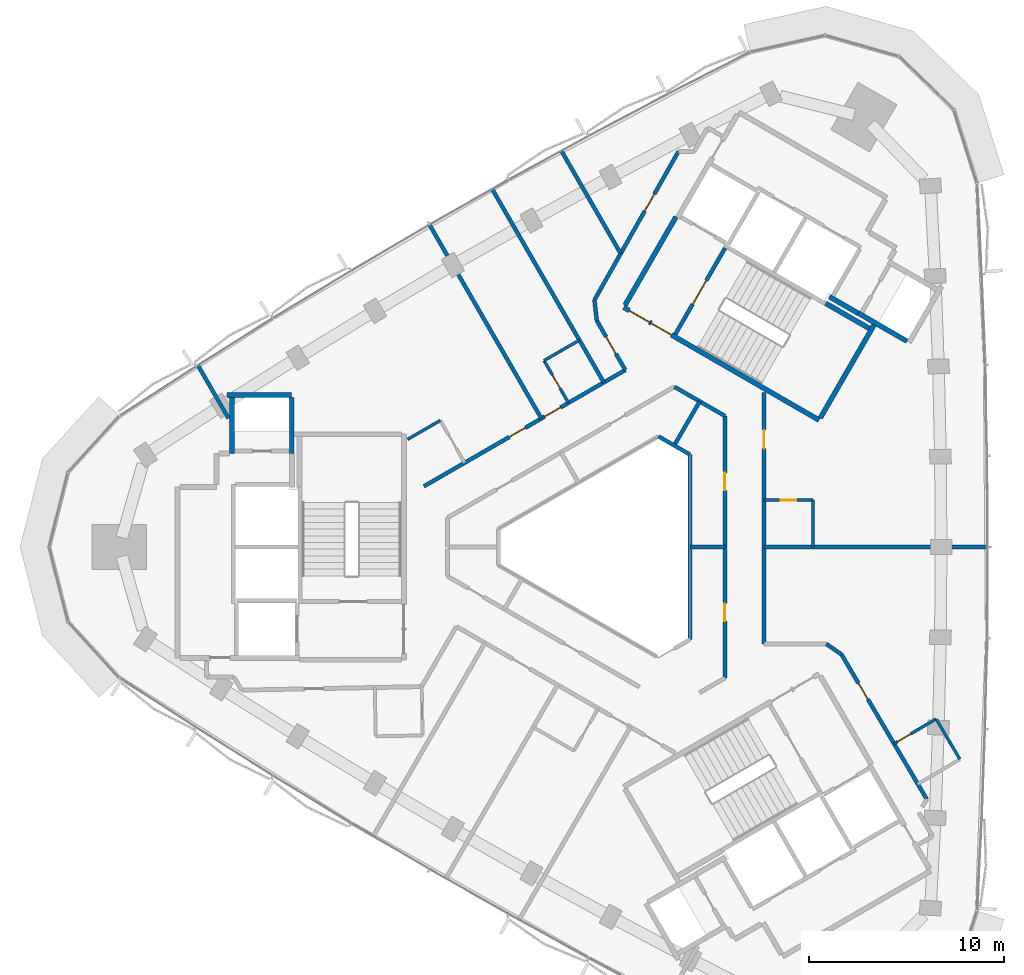
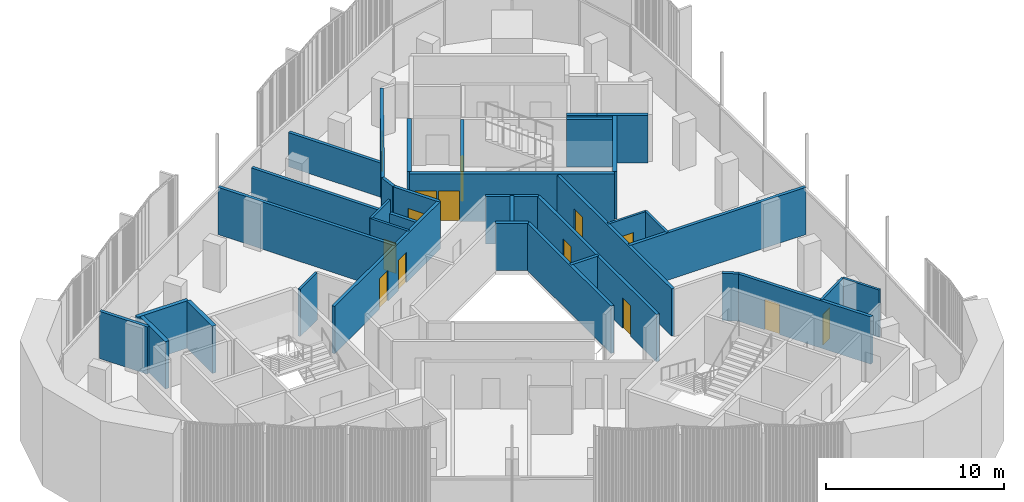
# One storey, part 10 of 16: 35 walls, 14 doors, 14 openings.
"""IFC4 building model written with IfcOpenShell, lengths in metres."""

from ifc_helpers import new_model, si_unit, direction, frame, frame_2d, origin, place, context, subcontext, project, spatial, rectangle, extrude, material, layer, layer_set, type_object, element, fill, save


model = new_model("IFC4")

# Units and contexts
model_context = context("Model", 3, precision=1e-05, world=origin(), true_north=direction((0.0, 1.0)))
body_context = subcontext(model_context, "Body", "Model", "MODEL_VIEW")
ifc_project = project(units=[si_unit("LENGTHUNIT", "METRE"), si_unit("AREAUNIT", "SQUARE_METRE"), si_unit("VOLUMEUNIT", "CUBIC_METRE"), si_unit("PLANEANGLEUNIT", "RADIAN"), si_unit("MASSUNIT", "GRAM", prefix="KILO")], contexts=[model_context])

# Site, building, storey
site_placement = place(None, origin())
site = spatial("IfcSite", under=ifc_project, at=site_placement, CompositionType="ELEMENT")
building_placement = place(site_placement, origin())
building = spatial("IfcBuilding", under=site, at=building_placement, Name="Tamra Quay Hotel Tower", CompositionType="ELEMENT")
storey_placement = place(building_placement, frame((0.0, 0.0, 232.199951171875)))
storey = spatial("IfcBuildingStorey", under=building, at=storey_placement, Name="L58", CompositionType="ELEMENT", Elevation=232.199951171875)

# Wall, opening, door
ifc_material_1 = material(Name="Concrete M70", Category="concrete")
ifc_layer_1 = layer(ifc_material_1, 0.199951171875)
ifc_layer_set_1 = layer_set([ifc_layer_1], Name="Concrete M70 core wall 200")
wall_type_1 = type_object("IfcWallType", Name="Concrete M70 core wall 200", PredefinedType="SHEAR", material=ifc_layer_set_1)
wall_1_placement = place(storey_placement, frame((3.056640625, 10.89453125, 0.0), z_axis=(0.0, 0.0, 1.0), x_axis=(0.500027839223, 0.866009330205, 0.0)))
wall_1 = element("IfcWall", 1, at=wall_1_placement, inside=storey, type_object=wall_type_1, Name="CW2", PredefinedType="SHEAR", context=body_context, shape_type="SweptSolid", body=[
    extrude(rectangle(XDim=5.097900390625, YDim=0.199951171875, at=frame_2d((2.548828125, 0.0))), origin(), (0.0, 0.0, 1.0), 3.25),
])
opening_1_placement = place(wall_1_placement, frame((1.77392578125, 0.0, 0.0)))
opening_1 = element("IfcOpeningElement", 2, at=opening_1_placement, cuts=wall_1, Name="Opening FD2", PredefinedType="OPENING", context=body_context, shape_type="SweptSolid", body=[
    extrude(rectangle(XDim=1.39990234375, YDim=2.10009765625, at=frame_2d((0.699951171875, 1.050048828125))), frame((0.0, 0.10986328125, 0.0), z_axis=(0.0, -1.0, 0.0), x_axis=(1.0, 0.0, 0.0)), (0.0, 0.0, 1.0), 0.219970703125),
])
ifc_material_2 = material(Name="Core door FD2 1400x2100 RH")
door_type_1 = type_object("IfcDoorType", Name="Core door FD2 1400x2100 RH", OperationType="NOTDEFINED", PredefinedType="DOOR", material=ifc_material_2)
door_1_placement = place(opening_1_placement, origin())
door_1 = element("IfcDoor", 3, at=door_1_placement, inside=storey, type_object=door_type_1, Name="FD2", OperationType="SINGLE_SWING_RIGHT", OverallHeight=2.10009765625, OverallWidth=1.39990234375, PredefinedType="DOOR", context=body_context, shape_type="SweptSolid", body=[
    extrude(rectangle(XDim=1.39990234375, YDim=2.10009765625, at=frame_2d((0.699951171875, 1.050048828125))), frame((0.0, 0.02490234375, 0.0), z_axis=(0.0, -1.0, 0.0), x_axis=(1.0, 0.0, 0.0)), (0.0, 0.0, 1.0), 0.050048828125),
])
fill(opening_1, door_1)

# Walls
ifc_layer_2 = layer(ifc_material_1, 0.25)
ifc_layer_set_2 = layer_set([ifc_layer_2], Name="Concrete M70 core wall 250")
wall_type_2 = type_object("IfcWallType", Name="Concrete M70 core wall 250", PredefinedType="SHEAR", material=ifc_layer_set_2)
wall_2_placement = place(storey_placement, frame((-19.900390625, 7.77490234375, 0.0), z_axis=(0.0, 0.0, 1.0), x_axis=(1.0, 0.0, 0.0)))
element("IfcWall", 4, at=wall_2_placement, inside=storey, type_object=wall_type_2, Name="CW1", PredefinedType="SHEAR", context=body_context, shape_type="SweptSolid", body=[
    extrude(rectangle(XDim=3.31298828125, YDim=0.25, at=frame_2d((1.656494140625, 0.0))), origin(), (0.0, 0.0, 1.0), 3.25),
])
for number, where, z_axis, x_axis, name in (
    (5, (-16.58740234375, 7.649658203125, 0.0), (0.0, 0.0, 1.0), (0.0, -1.0, 0.0), "CW1"),
    (6, (-19.63720703125, 4.784912109375, 0.0), (0.0, 0.0, 1.0), (0.0, 1.0, 0.0), "CW1"),
):
    element("IfcWall", number, at=place(storey_placement, frame(where, z_axis=z_axis, x_axis=x_axis)), inside=storey, type_object=wall_type_2, Name=name, PredefinedType="SHEAR", context=body_context, shape_type="SweptSolid", body=[
        extrude(rectangle(XDim=2.86474609375, YDim=0.25, at=frame_2d((1.432373046875, 0.0))), origin(), (0.0, 0.0, 1.0), 3.25),
    ])

# Wall, openings, doors
wall_3_placement = place(storey_placement, frame((10.419921875, 6.497802734375, 0.0), z_axis=(0.0, 0.0, 1.0), x_axis=(-0.866021906294, 0.500006057782, 0.0)))
wall_3 = element("IfcWall", 7, at=wall_3_placement, inside=storey, type_object=wall_type_2, Name="CW1", PredefinedType="SHEAR", context=body_context, shape_type="SweptSolid", body=[
    extrude(rectangle(XDim=11.550048828125, YDim=0.25, at=frame_2d((5.77490234375, 0.0))), origin(), (0.0, 0.0, 1.0), 3.25),
])
opening_2_placement = place(wall_3_placement, frame((10.02490234375, 0.0, 0.0)))
opening_2 = element("IfcOpeningElement", 8, at=opening_2_placement, cuts=wall_3, Name="Opening FD1", PredefinedType="OPENING", context=body_context, shape_type="SweptSolid", body=[
    extrude(rectangle(XDim=1.199951171875, YDim=2.10009765625, at=frame_2d((0.60009765625, 1.050048828125))), frame((0.0, 0.135009765625, 0.0), z_axis=(0.0, -1.0, 0.0), x_axis=(1.0, 0.0, 0.0)), (0.0, 0.0, 1.0), 0.27001953125),
])
opening_3_placement = place(wall_3_placement, frame((8.724853515625, 0.0, 0.0)))
opening_3 = element("IfcOpeningElement", 9, at=opening_3_placement, cuts=wall_3, Name="Opening FD1", PredefinedType="OPENING", context=body_context, shape_type="SweptSolid", body=[
    extrude(rectangle(XDim=1.199951171875, YDim=2.10009765625, at=frame_2d((0.60009765625, 1.050048828125))), frame((0.0, 0.135009765625, 0.0), z_axis=(0.0, -1.0, 0.0), x_axis=(1.0, 0.0, 0.0)), (0.0, 0.0, 1.0), 0.27001953125),
])
ifc_material_3 = material(Name="Core door FD1 1200x2100 LH")
door_type_2 = type_object("IfcDoorType", Name="Core door FD1 1200x2100 LH", OperationType="NOTDEFINED", PredefinedType="DOOR", material=ifc_material_3)
door_2_placement = place(opening_2_placement, origin())
door_2 = element("IfcDoor", 10, at=door_2_placement, inside=storey, type_object=door_type_2, Name="FD1", OperationType="SINGLE_SWING_LEFT", OverallHeight=2.10009765625, OverallWidth=1.199951171875, PredefinedType="DOOR", context=body_context, shape_type="SweptSolid", body=[
    extrude(rectangle(XDim=1.199951171875, YDim=2.10009765625, at=frame_2d((0.60009765625, 1.050048828125))), frame((0.0, 0.02490234375, 0.0), z_axis=(0.0, -1.0, 0.0), x_axis=(1.0, 0.0, 0.0)), (0.0, 0.0, 1.0), 0.050048828125),
])
fill(opening_2, door_2)
ifc_material_4 = material(Name="Core door FD1 1200x2100 RH")
door_type_3 = type_object("IfcDoorType", Name="Core door FD1 1200x2100 RH", OperationType="NOTDEFINED", PredefinedType="DOOR", material=ifc_material_4)
door_3_placement = place(opening_3_placement, origin())
door_3 = element("IfcDoor", 11, at=door_3_placement, inside=storey, type_object=door_type_3, Name="FD1", OperationType="SINGLE_SWING_RIGHT", OverallHeight=2.10009765625, OverallWidth=1.199951171875, PredefinedType="DOOR", context=body_context, shape_type="SweptSolid", body=[
    extrude(rectangle(XDim=1.199951171875, YDim=2.10009765625, at=frame_2d((0.60009765625, 1.050048828125))), frame((0.0, 0.02490234375, 0.0), z_axis=(0.0, -1.0, 0.0), x_axis=(1.0, 0.0, 0.0)), (0.0, 0.0, 1.0), 0.050048828125),
])
fill(opening_3, door_3)

# Walls
wall_4_placement = place(storey_placement, frame((0.47998046875, 12.38134765625, 0.0), z_axis=(0.0, 0.0, 1.0), x_axis=(0.49999885962, 0.866026062182, 0.0)))
element("IfcWall", 12, at=wall_4_placement, inside=storey, type_object=wall_type_2, Name="CW1", PredefinedType="SHEAR", context=body_context, shape_type="SweptSolid", body=[
    extrude(rectangle(XDim=5.224609375, YDim=0.25, at=frame_2d((2.6123046875, 0.0))), origin(), (0.0, 0.0, 1.0), 3.25),
])
wall_5_placement = place(storey_placement, frame((13.237548828125, 11.3779296875, 0.0), z_axis=(0.0, 0.0, 1.0), x_axis=(-0.500008851346, -0.866020293397, 0.0)))
element("IfcWall", 13, at=wall_5_placement, inside=storey, type_object=wall_type_2, Name="CW1", PredefinedType="SHEAR", context=body_context, shape_type="SweptSolid", body=[
    extrude(rectangle(XDim=5.509765625, YDim=0.25, at=frame_2d((2.7548828125, 0.0))), origin(), (0.0, 0.0, 1.0), 3.25),
])
wall_6_placement = place(storey_placement, frame((14.91845703125, 10.540283203125, 0.0), z_axis=(0.0, 0.0, 1.0), x_axis=(-0.866063538972, 0.499933942099, 0.0)))
element("IfcWall", 14, at=wall_6_placement, inside=storey, type_object=wall_type_2, Name="CW1", PredefinedType="SHEAR", context=body_context, shape_type="SweptSolid", body=[
    extrude(rectangle(XDim=2.86474609375, YDim=0.25, at=frame_2d((1.432373046875, 0.0))), origin(), (0.0, 0.0, 1.0), 3.25),
])
wall_7_placement = place(storey_placement, frame((10.756591796875, 12.481201171875, 0.0), z_axis=(0.0, 0.0, 1.0), x_axis=(0.866022940537, -0.500004266446, 0.0)))
element("IfcWall", 15, at=wall_7_placement, inside=storey, type_object=wall_type_2, Name="CW1", PredefinedType="SHEAR", context=body_context, shape_type="SweptSolid", body=[
    extrude(rectangle(XDim=2.57470703125, YDim=0.25, at=frame_2d((1.287353515625, 0.0))), origin(), (0.0, 0.0, 1.0), 3.25),
])
wall_8_placement = place(storey_placement, frame((12.4326171875, 11.9638671875, 0.0), z_axis=(0.0, 0.0, 1.0), x_axis=(-0.866038183914, 0.499977863513, 0.0)))
element("IfcWall", 16, at=wall_8_placement, inside=storey, type_object=wall_type_2, Name="CW1", PredefinedType="SHEAR", context=body_context, shape_type="SweptSolid", body=[
    extrude(rectangle(XDim=1.7099609375, YDim=0.25, at=frame_2d((0.85498046875, 0.0))), origin(), (0.0, 0.0, 1.0), 3.25),
])

# Wall, openings, doors
ifc_material_5 = material(Name="Partition corridor wall")
ifc_layer_3 = layer(ifc_material_5, 0.199951171875)
ifc_layer_set_3 = layer_set([ifc_layer_3], Name="Partition corridor wall")
wall_type_3 = type_object("IfcWallType", Name="Partition corridor wall", PredefinedType="PARTITIONING", material=ifc_layer_set_3)
wall_9_placement = place(storey_placement, frame((-9.81689453125, 3.10791015625, 0.0), z_axis=(0.0, 0.0, 1.0), x_axis=(0.86603471326, 0.499983875168, 0.0)))
wall_9 = element("IfcWall", 17, at=wall_9_placement, inside=storey, type_object=wall_type_3, Name="W-C", PredefinedType="PARTITIONING", context=body_context, shape_type="SweptSolid", body=[
    extrude(rectangle(XDim=11.91064453125, YDim=0.199951171875, at=frame_2d((5.955322265625, 0.0))), origin(), (0.0, 0.0, 1.0), 3.25),
])
opening_4_placement = place(wall_9_placement, frame((7.13623046875, 0.0, 0.0)))
opening_4 = element("IfcOpeningElement", 18, at=opening_4_placement, cuts=wall_9, Name="Opening L58-D003", PredefinedType="OPENING", context=body_context, shape_type="SweptSolid", body=[
    extrude(rectangle(XDim=0.949951171875, YDim=2.10009765625, at=frame_2d((0.47509765625, 1.050048828125))), frame((0.0, 0.10986328125, 0.0), z_axis=(0.0, -1.0, 0.0), x_axis=(1.0, 0.0, 0.0)), (0.0, 0.0, 1.0), 0.219970703125),
])
opening_5_placement = place(wall_9_placement, frame((5.049072265625, 0.0, 0.0)))
opening_5 = element("IfcOpeningElement", 19, at=opening_5_placement, cuts=wall_9, Name="Opening L58-D005", PredefinedType="OPENING", context=body_context, shape_type="SweptSolid", body=[
    extrude(rectangle(XDim=0.949951171875, YDim=2.10009765625, at=frame_2d((0.47509765625, 1.050048828125))), frame((0.0, 0.10986328125, 0.0), z_axis=(0.0, -1.0, 0.0), x_axis=(1.0, 0.0, 0.0)), (0.0, 0.0, 1.0), 0.219970703125),
])
ifc_material_6 = material(Name="Door guest room 950x2100")
door_type_4 = type_object("IfcDoorType", Name="Door guest room 950x2100", OperationType="NOTDEFINED", PredefinedType="DOOR", material=ifc_material_6)
door_4_placement = place(opening_4_placement, origin())
door_4 = element("IfcDoor", 20, at=door_4_placement, inside=storey, type_object=door_type_4, Name="L58-D003", OperationType="SINGLE_SWING_LEFT", OverallHeight=2.10009765625, OverallWidth=0.949951171875, PredefinedType="DOOR", context=body_context, shape_type="SweptSolid", body=[
    extrude(rectangle(XDim=0.949951171875, YDim=2.10009765625, at=frame_2d((0.47509765625, 1.050048828125))), frame((0.0, 0.02490234375, 0.0), z_axis=(0.0, -1.0, 0.0), x_axis=(1.0, 0.0, 0.0)), (0.0, 0.0, 1.0), 0.050048828125),
])
fill(opening_4, door_4)
door_5_placement = place(opening_5_placement, origin())
door_5 = element("IfcDoor", 21, at=door_5_placement, inside=storey, type_object=door_type_4, Name="L58-D005", OperationType="SINGLE_SWING_LEFT", OverallHeight=2.10009765625, OverallWidth=0.949951171875, PredefinedType="DOOR", context=body_context, shape_type="SweptSolid", body=[
    extrude(rectangle(XDim=0.949951171875, YDim=2.10009765625, at=frame_2d((0.47509765625, 1.050048828125))), frame((0.0, 0.02490234375, 0.0), z_axis=(0.0, -1.0, 0.0), x_axis=(1.0, 0.0, 0.0)), (0.0, 0.0, 1.0), 0.050048828125),
])
fill(opening_5, door_5)

# Wall
wall_10_placement = place(storey_placement, frame((-1.0849609375, 12.64990234375, 0.0), z_axis=(0.0, 0.0, 1.0), x_axis=(0.113812454263, -0.993502252264, 0.0)))
element("IfcWall", 22, at=wall_10_placement, inside=storey, type_object=wall_type_3, Name="W-C", PredefinedType="PARTITIONING", context=body_context, shape_type="SweptSolid", body=[
    extrude(rectangle(XDim=1.061767578125, YDim=0.199951171875, at=frame_2d((0.53076171875, 0.0))), origin(), (0.0, 0.0, 1.0), 3.25),
])

# Wall, opening, door
wall_11_placement = place(storey_placement, frame((-1.084228515625, 12.649658203125, 0.0), z_axis=(0.0, 0.0, 1.0), x_axis=(0.492373019537, 0.87038428848, 0.0)))
wall_11 = element("IfcWall", 23, at=wall_11_placement, inside=storey, type_object=wall_type_3, Name="W-C", PredefinedType="PARTITIONING", context=body_context, shape_type="SweptSolid", body=[
    extrude(rectangle(XDim=8.73779296875, YDim=0.199951171875, at=frame_2d((4.368896484375, 0.0))), origin(), (0.0, 0.0, 1.0), 3.25),
])
opening_6_placement = place(wall_11_placement, frame((5.22998046875, 0.0, 0.0)))
opening_6 = element("IfcOpeningElement", 24, at=opening_6_placement, cuts=wall_11, Name="Opening L58-D001", PredefinedType="OPENING", context=body_context, shape_type="SweptSolid", body=[
    extrude(rectangle(XDim=1.0, YDim=2.10009765625, at=frame_2d((0.5, 1.050048828125))), frame((0.0, 0.10986328125, 0.0), z_axis=(0.0, -1.0, 0.0), x_axis=(1.0, 0.0, 0.0)), (0.0, 0.0, 1.0), 0.219970703125),
])
ifc_material_7 = material(Name="Door guest room 1000x2100")
door_type_5 = type_object("IfcDoorType", Name="Door guest room 1000x2100", OperationType="NOTDEFINED", PredefinedType="DOOR", material=ifc_material_7)
door_6_placement = place(opening_6_placement, origin())
door_6 = element("IfcDoor", 25, at=door_6_placement, inside=storey, type_object=door_type_5, Name="L58-D001", OperationType="SINGLE_SWING_LEFT", OverallHeight=2.10009765625, OverallWidth=1.0, PredefinedType="DOOR", context=body_context, shape_type="SweptSolid", body=[
    extrude(rectangle(XDim=1.0, YDim=2.10009765625, at=frame_2d((0.5, 1.050048828125))), frame((0.0, 0.02490234375, 0.0), z_axis=(0.0, -1.0, 0.0), x_axis=(1.0, 0.0, 0.0)), (0.0, 0.0, 1.0), 0.050048828125),
])
fill(opening_6, door_6)

wall_12_placement = place(storey_placement, frame((-0.964111328125, 11.594970703125, 0.0), z_axis=(0.0, 0.0, 1.0), x_axis=(0.500081432713, -0.865978383481, 0.0)))
wall_12 = element("IfcWall", 26, at=wall_12_placement, inside=storey, type_object=wall_type_3, Name="W-C", PredefinedType="PARTITIONING", context=body_context, shape_type="SweptSolid", body=[
    extrude(rectangle(XDim=2.923828125, YDim=0.199951171875, at=frame_2d((1.4619140625, 0.0))), origin(), (0.0, 0.0, 1.0), 3.25),
])
opening_7_placement = place(wall_12_placement, frame((0.9619140625, 0.0, 0.0)))
opening_7 = element("IfcOpeningElement", 27, at=opening_7_placement, cuts=wall_12, Name="Opening L58-D002", PredefinedType="OPENING", context=body_context, shape_type="SweptSolid", body=[
    extrude(rectangle(XDim=1.0, YDim=2.10009765625, at=frame_2d((0.5, 1.050048828125))), frame((0.0, 0.10986328125, 0.0), z_axis=(0.0, -1.0, 0.0), x_axis=(1.0, 0.0, 0.0)), (0.0, 0.0, 1.0), 0.219970703125),
])
door_7_placement = place(opening_7_placement, origin())
door_7 = element("IfcDoor", 28, at=door_7_placement, inside=storey, type_object=door_type_5, Name="L58-D002", OperationType="SINGLE_SWING_LEFT", OverallHeight=2.10009765625, OverallWidth=1.0, PredefinedType="DOOR", context=body_context, shape_type="SweptSolid", body=[
    extrude(rectangle(XDim=1.0, YDim=2.10009765625, at=frame_2d((0.5, 1.050048828125))), frame((0.0, 0.02490234375, 0.0), z_axis=(0.0, -1.0, 0.0), x_axis=(1.0, 0.0, 0.0)), (0.0, 0.0, 1.0), 0.050048828125),
])
fill(opening_7, door_7)

# Wall
wall_13_placement = place(storey_placement, frame((3.01123046875, 8.203857421875, 0.0), z_axis=(0.0, 0.0, 1.0), x_axis=(0.86628077395, -0.499557424812, 0.0)))
element("IfcWall", 29, at=wall_13_placement, inside=storey, type_object=wall_type_3, Name="W-C", PredefinedType="PARTITIONING", context=body_context, shape_type="SweptSolid", body=[
    extrude(rectangle(XDim=2.988525390625, YDim=0.199951171875, at=frame_2d((1.494140625, 0.0))), origin(), (0.0, 0.0, 1.0), 3.25),
])

# Wall, openings, doors
wall_14_placement = place(storey_placement, frame((5.60009765625, -6.7109375, 0.0), z_axis=(0.0, 0.0, 1.0), x_axis=(0.0, 1.0, 0.0)))
wall_14 = element("IfcWall", 30, at=wall_14_placement, inside=storey, type_object=wall_type_3, Name="W-C", PredefinedType="PARTITIONING", context=body_context, shape_type="SweptSolid", body=[
    extrude(rectangle(XDim=13.421875, YDim=0.199951171875, at=frame_2d((6.7109375, 0.0))), origin(), (0.0, 0.0, 1.0), 3.25),
])
opening_8_placement = place(wall_14_placement, frame((2.91162109375, 0.0, 0.0)))
opening_8 = element("IfcOpeningElement", 31, at=opening_8_placement, cuts=wall_14, Name="Opening L58-D017", PredefinedType="OPENING", context=body_context, shape_type="SweptSolid", body=[
    extrude(rectangle(XDim=0.89990234375, YDim=2.10009765625, at=frame_2d((0.449951171875, 1.050048828125))), frame((0.0, 0.10986328125, 0.0), z_axis=(0.0, -1.0, 0.0), x_axis=(1.0, 0.0, 0.0)), (0.0, 0.0, 1.0), 0.219970703125),
])
opening_9_placement = place(wall_14_placement, frame((9.610595703125, 0.0, 0.0)))
opening_9 = element("IfcOpeningElement", 32, at=opening_9_placement, cuts=wall_14, Name="Opening L58-D018", PredefinedType="OPENING", context=body_context, shape_type="SweptSolid", body=[
    extrude(rectangle(XDim=0.89990234375, YDim=2.10009765625, at=frame_2d((0.449951171875, 1.050048828125))), frame((0.0, 0.10986328125, 0.0), z_axis=(0.0, -1.0, 0.0), x_axis=(1.0, 0.0, 0.0)), (0.0, 0.0, 1.0), 0.219970703125),
])
ifc_material_8 = material(Name="Door service room 900x2100")
door_type_6 = type_object("IfcDoorType", Name="Door service room 900x2100", OperationType="NOTDEFINED", PredefinedType="DOOR", material=ifc_material_8)
door_8_placement = place(opening_8_placement, origin())
door_8 = element("IfcDoor", 33, at=door_8_placement, inside=storey, type_object=door_type_6, Name="L58-D017", OperationType="SINGLE_SWING_LEFT", OverallHeight=2.10009765625, OverallWidth=0.89990234375, PredefinedType="DOOR", context=body_context, shape_type="SweptSolid", body=[
    extrude(rectangle(XDim=0.89990234375, YDim=2.10009765625, at=frame_2d((0.449951171875, 1.050048828125))), frame((0.0, 0.02490234375, 0.0), z_axis=(0.0, -1.0, 0.0), x_axis=(1.0, 0.0, 0.0)), (0.0, 0.0, 1.0), 0.050048828125),
])
fill(opening_8, door_8)
door_9_placement = place(opening_9_placement, origin())
door_9 = element("IfcDoor", 34, at=door_9_placement, inside=storey, type_object=door_type_6, Name="L58-D018", OperationType="SINGLE_SWING_LEFT", OverallHeight=2.10009765625, OverallWidth=0.89990234375, PredefinedType="DOOR", context=body_context, shape_type="SweptSolid", body=[
    extrude(rectangle(XDim=0.89990234375, YDim=2.10009765625, at=frame_2d((0.449951171875, 1.050048828125))), frame((0.0, 0.02490234375, 0.0), z_axis=(0.0, -1.0, 0.0), x_axis=(1.0, 0.0, 0.0)), (0.0, 0.0, 1.0), 0.050048828125),
])
fill(opening_9, door_9)

# Wall, opening, door
wall_15_placement = place(storey_placement, frame((7.60009765625, -4.966064453125, 0.0), z_axis=(0.0, 0.0, 1.0), x_axis=(0.0, 1.0, 0.0)))
wall_15 = element("IfcWall", 35, at=wall_15_placement, inside=storey, type_object=wall_type_3, Name="W-C", PredefinedType="PARTITIONING", context=body_context, shape_type="SweptSolid", body=[
    extrude(rectangle(XDim=12.87841796875, YDim=0.199951171875, at=frame_2d((6.439208984375, 0.0))), origin(), (0.0, 0.0, 1.0), 3.25),
])
opening_10_placement = place(wall_15_placement, frame((10.00390625, 0.0, 0.0)))
opening_10 = element("IfcOpeningElement", 36, at=opening_10_placement, cuts=wall_15, Name="Opening L58-D015", PredefinedType="OPENING", context=body_context, shape_type="SweptSolid", body=[
    extrude(rectangle(XDim=0.949951171875, YDim=2.10009765625, at=frame_2d((0.47509765625, 1.050048828125))), frame((0.0, 0.10986328125, 0.0), z_axis=(0.0, -1.0, 0.0), x_axis=(1.0, 0.0, 0.0)), (0.0, 0.0, 1.0), 0.219970703125),
])
door_10_placement = place(opening_10_placement, frame((0.949951171875, 0.0, 0.0), z_axis=(0.0, 0.0, 1.0), x_axis=(-1.0, 0.0, 0.0)))
door_10 = element("IfcDoor", 37, at=door_10_placement, inside=storey, type_object=door_type_4, Name="L58-D015", OperationType="SINGLE_SWING_LEFT", OverallHeight=2.10009765625, OverallWidth=0.949951171875, PredefinedType="DOOR", context=body_context, shape_type="SweptSolid", body=[
    extrude(rectangle(XDim=0.949951171875, YDim=2.10009765625, at=frame_2d((0.47509765625, 1.050048828125))), frame((0.0, 0.02490234375, 0.0), z_axis=(0.0, -1.0, 0.0), x_axis=(1.0, 0.0, 0.0)), (0.0, 0.0, 1.0), 0.050048828125),
])
fill(opening_10, door_10)

# Wall
wall_16_placement = place(storey_placement, frame((10.7939453125, -4.966064453125, 0.0), z_axis=(0.0, 0.0, 1.0), x_axis=(0.822266583859, -0.569102508401, 0.0)))
element("IfcWall", 38, at=wall_16_placement, inside=storey, type_object=wall_type_3, Name="W-C", PredefinedType="PARTITIONING", context=body_context, shape_type="SweptSolid", body=[
    extrude(rectangle(XDim=0.945068359375, YDim=0.199951171875, at=frame_2d((0.47265625, 0.0))), origin(), (0.0, 0.0, 1.0), 3.25),
])

# Wall, opening, door
wall_17_placement = place(storey_placement, frame((11.571044921875, -5.5048828125, 0.0), z_axis=(0.0, 0.0, 1.0), x_axis=(0.507291838928, -0.861774326699, 0.0)))
wall_17 = element("IfcWall", 39, at=wall_17_placement, inside=storey, type_object=wall_type_3, Name="W-C", PredefinedType="PARTITIONING", context=body_context, shape_type="SweptSolid", body=[
    extrude(rectangle(XDim=8.5986328125, YDim=0.199951171875, at=frame_2d((4.29931640625, 0.0))), origin(), (0.0, 0.0, 1.0), 3.25),
])
opening_11_placement = place(wall_17_placement, frame((1.71240234375, 0.0, 0.0)))
opening_11 = element("IfcOpeningElement", 40, at=opening_11_placement, cuts=wall_17, Name="Opening L58-D013", PredefinedType="OPENING", context=body_context, shape_type="SweptSolid", body=[
    extrude(rectangle(XDim=0.949951171875, YDim=2.10009765625, at=frame_2d((0.47509765625, 1.050048828125))), frame((0.0, 0.10986328125, 0.0), z_axis=(0.0, -1.0, 0.0), x_axis=(1.0, 0.0, 0.0)), (0.0, 0.0, 1.0), 0.219970703125),
])
door_11_placement = place(opening_11_placement, origin())
door_11 = element("IfcDoor", 41, at=door_11_placement, inside=storey, type_object=door_type_4, Name="L58-D013", OperationType="SINGLE_SWING_LEFT", OverallHeight=2.10009765625, OverallWidth=0.949951171875, PredefinedType="DOOR", context=body_context, shape_type="SweptSolid", body=[
    extrude(rectangle(XDim=0.949951171875, YDim=2.10009765625, at=frame_2d((0.47509765625, 1.050048828125))), frame((0.0, 0.02490234375, 0.0), z_axis=(0.0, -1.0, 0.0), x_axis=(1.0, 0.0, 0.0)), (0.0, 0.0, 1.0), 0.050048828125),
])
fill(opening_11, door_11)

# Walls
ifc_material_9 = material(Name="Partition en-suite wall")
ifc_layer_4 = layer(ifc_material_9, 0.14990234375)
ifc_layer_set_4 = layer_set([ifc_layer_4], Name="Partition en-suite wall")
wall_type_4 = type_object("IfcWallType", Name="Partition en-suite wall", PredefinedType="PARTITIONING", material=ifc_layer_set_4)
wall_18_placement = place(storey_placement, frame((-10.65234375, 5.51220703125, 0.0), z_axis=(0.0, 0.0, 1.0), x_axis=(0.866017156151, 0.500014285048, 0.0)))
element("IfcWall", 42, at=wall_18_placement, inside=storey, type_object=wall_type_4, Name="W-E", PredefinedType="PARTITIONING", context=body_context, shape_type="SweptSolid", body=[
    extrude(rectangle(XDim=1.93115234375, YDim=0.14990234375, at=frame_2d((0.965576171875, 0.0))), origin(), (0.0, 0.0, 1.0), 3.25),
])
wall_19_placement = place(storey_placement, frame((-3.6640625, 9.547119140625, 0.0), z_axis=(0.0, 0.0, 1.0), x_axis=(0.866049423672, 0.499958394027, 0.0)))
element("IfcWall", 43, at=wall_19_placement, inside=storey, type_object=wall_type_4, Name="W-E", PredefinedType="PARTITIONING", context=body_context, shape_type="SweptSolid", body=[
    extrude(rectangle(XDim=2.090087890625, YDim=0.14990234375, at=frame_2d((1.044921875, 0.0))), origin(), (0.0, 0.0, 1.0), 3.25),
])

# Wall, opening, door
wall_20_placement = place(storey_placement, frame((-3.6640625, 9.547119140625, 0.0), z_axis=(0.0, 0.0, 1.0), x_axis=(0.500004234368, -0.866022959057, 0.0)))
wall_20 = element("IfcWall", 44, at=wall_20_placement, inside=storey, type_object=wall_type_4, Name="W-E", PredefinedType="PARTITIONING", context=body_context, shape_type="SweptSolid", body=[
    extrude(rectangle(XDim=2.5, YDim=0.14990234375, at=frame_2d((1.25, 0.0))), origin(), (0.0, 0.0, 1.0), 3.25),
])
opening_12_placement = place(wall_20_placement, frame((0.849853515625, 0.0, 0.0)))
opening_12 = element("IfcOpeningElement", 45, at=opening_12_placement, cuts=wall_20, Name="Opening L58-D004", PredefinedType="OPENING", context=body_context, shape_type="SweptSolid", body=[
    extrude(rectangle(XDim=0.800048828125, YDim=2.10009765625, at=frame_2d((0.39990234375, 1.050048828125))), frame((0.0, 0.0849609375, 0.0), z_axis=(0.0, -1.0, 0.0), x_axis=(1.0, 0.0, 0.0)), (0.0, 0.0, 1.0), 0.169921875),
])
ifc_material_10 = material(Name="Door en-suite 800x2100")
door_type_7 = type_object("IfcDoorType", Name="Door en-suite 800x2100", OperationType="NOTDEFINED", PredefinedType="DOOR", material=ifc_material_10)
door_12_placement = place(opening_12_placement, origin())
door_12 = element("IfcDoor", 46, at=door_12_placement, inside=storey, type_object=door_type_7, Name="L58-D004", OperationType="SINGLE_SWING_LEFT", OverallHeight=2.10009765625, OverallWidth=0.800048828125, PredefinedType="DOOR", context=body_context, shape_type="SweptSolid", body=[
    extrude(rectangle(XDim=0.800048828125, YDim=2.10009765625, at=frame_2d((0.39990234375, 1.050048828125))), frame((0.0, 0.02490234375, 0.0), z_axis=(0.0, -1.0, 0.0), x_axis=(1.0, 0.0, 0.0)), (0.0, 0.0, 1.0), 0.050048828125),
])
fill(opening_12, door_12)

wall_21_placement = place(storey_placement, frame((7.60107421875, 2.39990234375, 0.0), z_axis=(0.0, 0.0, 1.0), x_axis=(1.0, 0.0, 0.0)))
wall_21 = element("IfcWall", 47, at=wall_21_placement, inside=storey, type_object=wall_type_4, Name="W-E", PredefinedType="PARTITIONING", context=body_context, shape_type="SweptSolid", body=[
    extrude(rectangle(XDim=2.496826171875, YDim=0.14990234375, at=frame_2d((1.24853515625, 0.0))), origin(), (0.0, 0.0, 1.0), 3.25),
])
opening_13_placement = place(wall_21_placement, frame((0.84912109375, 0.0, 0.0)))
opening_13 = element("IfcOpeningElement", 48, at=opening_13_placement, cuts=wall_21, Name="Opening L58-D016", PredefinedType="OPENING", context=body_context, shape_type="SweptSolid", body=[
    extrude(rectangle(XDim=0.800048828125, YDim=2.10009765625, at=frame_2d((0.39990234375, 1.050048828125))), frame((0.0, 0.0849609375, 0.0), z_axis=(0.0, -1.0, 0.0), x_axis=(1.0, 0.0, 0.0)), (0.0, 0.0, 1.0), 0.169921875),
])
door_13_placement = place(opening_13_placement, origin())
door_13 = element("IfcDoor", 49, at=door_13_placement, inside=storey, type_object=door_type_7, Name="L58-D016", OperationType="SINGLE_SWING_LEFT", OverallHeight=2.10009765625, OverallWidth=0.800048828125, PredefinedType="DOOR", context=body_context, shape_type="SweptSolid", body=[
    extrude(rectangle(XDim=0.800048828125, YDim=2.10009765625, at=frame_2d((0.39990234375, 1.050048828125))), frame((0.0, 0.02490234375, 0.0), z_axis=(0.0, -1.0, 0.0), x_axis=(1.0, 0.0, 0.0)), (0.0, 0.0, 1.0), 0.050048828125),
])
fill(opening_13, door_13)

# Wall
wall_22_placement = place(storey_placement, frame((10.10009765625, 0.0009765625, 0.0), z_axis=(0.0, 0.0, 1.0), x_axis=(0.0, 1.0, 0.0)))
element("IfcWall", 50, at=wall_22_placement, inside=storey, type_object=wall_type_4, Name="W-E", PredefinedType="PARTITIONING", context=body_context, shape_type="SweptSolid", body=[
    extrude(rectangle(XDim=2.39697265625, YDim=0.14990234375, at=frame_2d((1.198486328125, 0.0))), origin(), (0.0, 0.0, 1.0), 3.25),
])

# Wall, opening, door
wall_23_placement = place(storey_placement, frame((14.261962890625, -10.072021484375, 0.0), z_axis=(0.0, 0.0, 1.0), x_axis=(0.861699433364, 0.507419044322, 0.0)))
wall_23 = element("IfcWall", 51, at=wall_23_placement, inside=storey, type_object=wall_type_4, Name="W-E", PredefinedType="PARTITIONING", context=body_context, shape_type="SweptSolid", body=[
    extrude(rectangle(XDim=2.487060546875, YDim=0.14990234375, at=frame_2d((1.24365234375, 0.0))), origin(), (0.0, 0.0, 1.0), 3.25),
])
opening_14_placement = place(wall_23_placement, frame((0.19775390625, 0.0, 0.0)))
opening_14 = element("IfcOpeningElement", 52, at=opening_14_placement, cuts=wall_23, Name="Opening L58-D014", PredefinedType="OPENING", context=body_context, shape_type="SweptSolid", body=[
    extrude(rectangle(XDim=0.800048828125, YDim=2.10009765625, at=frame_2d((0.39990234375, 1.050048828125))), frame((0.0, 0.0849609375, 0.0), z_axis=(0.0, -1.0, 0.0), x_axis=(1.0, 0.0, 0.0)), (0.0, 0.0, 1.0), 0.169921875),
])
door_14_placement = place(opening_14_placement, frame((0.800048828125, 0.0, 0.0), z_axis=(0.0, 0.0, 1.0), x_axis=(-1.0, 0.0, 0.0)))
door_14 = element("IfcDoor", 53, at=door_14_placement, inside=storey, type_object=door_type_7, Name="L58-D014", OperationType="SINGLE_SWING_LEFT", OverallHeight=2.10009765625, OverallWidth=0.800048828125, PredefinedType="DOOR", context=body_context, shape_type="SweptSolid", body=[
    extrude(rectangle(XDim=0.800048828125, YDim=2.10009765625, at=frame_2d((0.39990234375, 1.050048828125))), frame((0.0, 0.02490234375, 0.0), z_axis=(0.0, -1.0, 0.0), x_axis=(1.0, 0.0, 0.0)), (0.0, 0.0, 1.0), 0.050048828125),
])
fill(opening_14, door_14)

# Walls
wall_24_placement = place(storey_placement, frame((16.4189453125, -8.81396484375, 0.0), z_axis=(0.0, 0.0, 1.0), x_axis=(0.507674628474, -0.861548879405, 0.0)))
element("IfcWall", 54, at=wall_24_placement, inside=storey, type_object=wall_type_4, Name="W-E", PredefinedType="PARTITIONING", context=body_context, shape_type="SweptSolid", body=[
    extrude(rectangle(XDim=2.37939453125, YDim=0.14990234375, at=frame_2d((1.189697265625, 0.0))), origin(), (0.0, 0.0, 1.0), 3.25),
])
ifc_material_11 = material(Name="Partition party wall")
ifc_layer_5 = layer(ifc_material_11, 0.199951171875)
ifc_layer_set_5 = layer_set([ifc_layer_5], Name="Partition party wall")
wall_type_5 = type_object("IfcWallType", Name="Partition party wall", PredefinedType="PARTITIONING", material=ifc_layer_set_5)
wall_25_placement = place(storey_placement, frame((-21.38623046875, 9.29833984375, 0.0), z_axis=(0.0, 0.0, 1.0), x_axis=(0.500017489778, -0.866015305821, 0.0)))
element("IfcWall", 55, at=wall_25_placement, inside=storey, type_object=wall_type_5, Name="W-P", PredefinedType="PARTITIONING", context=body_context, shape_type="SweptSolid", body=[
    extrude(rectangle(XDim=3.1279296875, YDim=0.199951171875, at=frame_2d((1.56396484375, 0.0))), origin(), (0.0, 0.0, 1.0), 3.25),
])
wall_26_placement = place(storey_placement, frame((-9.525390625, 16.497802734375, 0.0), z_axis=(0.0, 0.0, 1.0), x_axis=(0.500030684965, -0.866007687087, 0.0)))
element("IfcWall", 56, at=wall_26_placement, inside=storey, type_object=wall_type_5, Name="W-P", PredefinedType="PARTITIONING", context=body_context, shape_type="SweptSolid", body=[
    extrude(rectangle(XDim=11.449951171875, YDim=0.199951171875, at=frame_2d((5.72509765625, 0.0))), origin(), (0.0, 0.0, 1.0), 3.25),
])
wall_27_placement = place(storey_placement, frame((-6.3154296875, 18.319580078125, 0.0), z_axis=(0.0, 0.0, 1.0), x_axis=(0.500012296027, -0.866018304553, 0.0)))
element("IfcWall", 57, at=wall_27_placement, inside=storey, type_object=wall_type_5, Name="W-P", PredefinedType="PARTITIONING", context=body_context, shape_type="SweptSolid", body=[
    extrude(rectangle(XDim=11.423095703125, YDim=0.199951171875, at=frame_2d((5.71142578125, 0.0))), origin(), (0.0, 0.0, 1.0), 2.35009765625),
])
wall_28_placement = place(storey_placement, frame((-2.77099609375, 20.279296875, 0.0), z_axis=(0.0, 0.0, 1.0), x_axis=(0.499939878606, -0.866060112105, 0.0)))
element("IfcWall", 58, at=wall_28_placement, inside=storey, type_object=wall_type_5, Name="W-P", PredefinedType="PARTITIONING", context=body_context, shape_type="SweptSolid", body=[
    extrude(rectangle(XDim=6.058837890625, YDim=0.199951171875, at=frame_2d((3.029296875, 0.0))), origin(), (0.0, 0.0, 1.0), 2.35009765625),
])
wall_29_placement = place(storey_placement, frame((2.2001953125, 5.658447265625, 0.0), z_axis=(0.0, 0.0, 1.0), x_axis=(0.865818011038, -0.500359042851, 0.0)))
element("IfcWall", 59, at=wall_29_placement, inside=storey, type_object=wall_type_5, Name="W-P", PredefinedType="PARTITIONING", context=body_context, shape_type="SweptSolid", body=[
    extrude(rectangle(XDim=1.847900390625, YDim=0.199951171875, at=frame_2d((0.923828125, 0.0))), origin(), (0.0, 0.0, 1.0), 3.25),
])
wall_30_placement = place(storey_placement, frame((3.0, 5.196044921875, 0.0), z_axis=(0.0, 0.0, 1.0), x_axis=(0.500076354988, 0.865981315724, 0.0)))
element("IfcWall", 60, at=wall_30_placement, inside=storey, type_object=wall_type_5, Name="W-P", PredefinedType="PARTITIONING", context=body_context, shape_type="SweptSolid", body=[
    extrude(rectangle(XDim=2.607421875, YDim=0.199951171875, at=frame_2d((1.3037109375, 0.0))), origin(), (0.0, 0.0, 1.0), 3.25),
])
wall_31_placement = place(storey_placement, frame((3.800048828125, -4.73388671875, 0.0), z_axis=(0.0, 0.0, 1.0), x_axis=(0.0, 1.0, 0.0)))
element("IfcWall", 61, at=wall_31_placement, inside=storey, type_object=wall_type_5, Name="W-P", PredefinedType="PARTITIONING", context=body_context, shape_type="SweptSolid", body=[
    extrude(rectangle(XDim=9.4677734375, YDim=0.199951171875, at=frame_2d((4.73388671875, 0.0))), origin(), (0.0, 0.0, 1.0), 3.25),
])
wall_32_placement = place(storey_placement, frame((3.800048828125, 0.0, 0.0), z_axis=(0.0, 0.0, 1.0), x_axis=(1.0, 0.0, 0.0)))
element("IfcWall", 62, at=wall_32_placement, inside=storey, type_object=wall_type_5, Name="W-P", PredefinedType="PARTITIONING", context=body_context, shape_type="SweptSolid", body=[
    extrude(rectangle(XDim=1.800048828125, YDim=0.199951171875, at=frame_2d((0.89990234375, 0.0))), origin(), (0.0, 0.0, 1.0), 3.25),
])
wall_33_placement = place(storey_placement, frame((7.60107421875, 0.0, 0.0), z_axis=(0.0, 0.0, 1.0), x_axis=(1.0, 0.0, 0.0)))
element("IfcWall", 63, at=wall_33_placement, inside=storey, type_object=wall_type_5, Name="W-P", PredefinedType="PARTITIONING", context=body_context, shape_type="SweptSolid", body=[
    extrude(rectangle(XDim=11.448974609375, YDim=0.199951171875, at=frame_2d((5.724609375, 0.0))), origin(), (0.0, 0.0, 1.0), 3.25),
])

save(model, "model.ifc")
